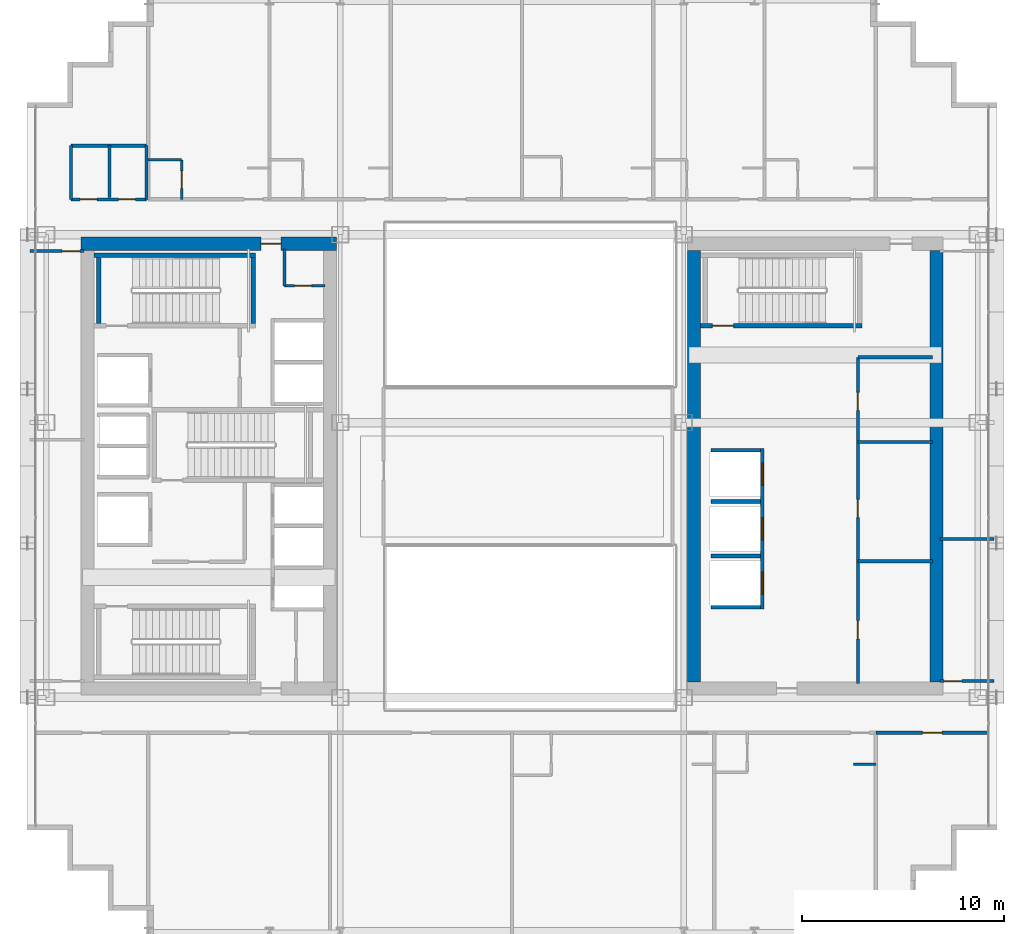
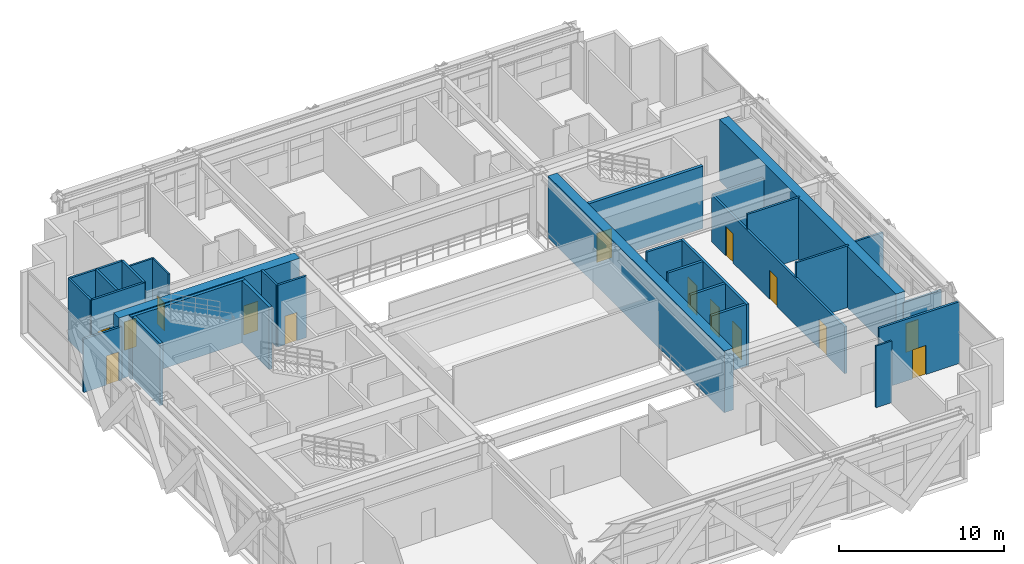
# One storey, part 32 of 38: 30 walls, 15 doors, 15 openings.
"""IFC4 building model written with IfcOpenShell, lengths in metres."""

from ifc_helpers import new_model, si_unit, direction, frame, frame_2d, origin, place, context, subcontext, project, spatial, rectangle, extrude, source, transform, mapped, material, layer, layer_set, type_object, element, fill, save


model = new_model("IFC4")

# Units and contexts
model_context = context("Model", 3, precision=1e-05, world=origin(), true_north=direction((0.0, 1.0)))
body_context = subcontext(model_context, "Body", "Model", "MODEL_VIEW")
ifc_project = project(units=[si_unit("LENGTHUNIT", "METRE"), si_unit("AREAUNIT", "SQUARE_METRE"), si_unit("VOLUMEUNIT", "CUBIC_METRE"), si_unit("PLANEANGLEUNIT", "RADIAN"), si_unit("MASSUNIT", "GRAM", prefix="KILO")], contexts=[model_context])

# Site, building, storey
site_placement = place(None, origin())
site = spatial("IfcSite", under=ifc_project, at=site_placement, CompositionType="ELEMENT")
building_placement = place(site_placement, origin())
building = spatial("IfcBuilding", under=site, at=building_placement, Name="Ocotamira Hotel", CompositionType="ELEMENT")
storey_placement = place(building_placement, frame((0.0, 0.0, 92.39990234375)))
storey = spatial("IfcBuildingStorey", under=building, at=storey_placement, Name="L22", CompositionType="ELEMENT", Elevation=92.39990234375)

# Wall, opening, door
ifc_material_1 = material(Name="Concrete C60/75", Category="concrete")
ifc_layer_1 = layer(ifc_material_1, 0.64990234375)
ifc_layer_set_1 = layer_set([ifc_layer_1], Name="Concrete C60/75")
wall_type_1 = type_object("IfcWallType", Name="WL-CORE-650", PredefinedType="SHEAR", material=ifc_layer_set_1)
wall_1_placement = place(storey_placement, frame((10.675048828125, 37.0, 0.0), z_axis=(0.0, 0.0, 1.0), x_axis=(1.0, 0.0, 0.0)))
wall_1 = element("IfcWall", 1, at=wall_1_placement, inside=storey, type_object=wall_type_1, Name="L22 Shear Core Wall WCORE-N", PredefinedType="SHEAR", context=body_context, shape_type="SweptSolid", body=[
    extrude(rectangle(XDim=12.64990234375, YDim=0.64990234375, at=frame_2d((6.324951171875, 0.0))), origin(), (0.0, 0.0, 1.0), 4.56005859375),
])
opening_1_placement = place(wall_1_placement, frame((8.905029296875, 0.0, 0.0)))
opening_1 = element("IfcOpeningElement", 2, at=opening_1_placement, cuts=wall_1, Name="Opening D-FR2", PredefinedType="OPENING", context=body_context, shape_type="SweptSolid", body=[
    extrude(rectangle(XDim=1.0, YDim=2.14990234375, at=frame_2d((0.5, 1.074951171875))), frame((0.0, 0.3349609375, 0.0), z_axis=(0.0, -1.0, 0.0), x_axis=(1.0, 0.0, 0.0)), (0.0, 0.0, 1.0), 0.669921875),
])
ifc_material_2 = material(Name="Fire-rated acoustic timber-veneer door", Category="wood")
door_type_1 = type_object("IfcDoorType", Name="DR-FIRE-1000", OperationType="NOTDEFINED", PredefinedType="DOOR", material=ifc_material_2)
shared_shape_1 = source(origin(), body_context, "Body", "SweptSolid", [
    extrude(rectangle(XDim=1.0, YDim=2.14990234375, at=frame_2d((0.5, 1.074951171875))), frame((0.0, 0.02490234375, 0.0), z_axis=(0.0, -1.0, 0.0), x_axis=(1.0, 0.0, 0.0)), (0.0, 0.0, 1.0), 0.050048828125),
])
door_1_placement = place(opening_1_placement, origin())
door_1 = element("IfcDoor", 3, at=door_1_placement, inside=storey, type_object=door_type_1, Name="L22 Door ID-L22-WLOB-N-D [ID-L22-WLOB-N-D]", OperationType="SINGLE_SWING_RIGHT", OverallHeight=2.14990234375, OverallWidth=1.0, PredefinedType="DOOR", context=body_context, shape_type="MappedRepresentation", body=[
    mapped(shared_shape_1, transform((0.0, 0.0, 0.0), scale=1.0)),
])
fill(opening_1, door_1)

# Walls
for number, where, z_axis, x_axis, name in (
    (4, (41.0, 15.324951171875, 0.0), (0.0, 0.0, 1.0), (0.0, 1.0, 0.0), "L22 Shear Core Wall ECORE-W"),
    (5, (53.0, 15.324951171875, 0.0), (0.0, 0.0, 1.0), (0.0, 1.0, 0.0), "L22 Shear Core Wall ECORE-E"),
):
    element("IfcWall", number, at=place(storey_placement, frame(where, z_axis=z_axis, x_axis=x_axis)), inside=storey, type_object=wall_type_1, Name=name, PredefinedType="SHEAR", context=body_context, shape_type="SweptSolid", body=[
        extrude(rectangle(XDim=21.35009765625, YDim=0.64990234375, at=frame_2d((10.675048828125, 0.0))), origin(), (0.0, 0.0, 1.0), 4.56005859375),
    ])
ifc_material_3 = material(Name="Acoustic double-layer fire gypsum board partition", Category="gypsum")
ifc_layer_2 = layer(ifc_material_3, 0.159912109375)
ifc_layer_set_2 = layer_set([ifc_layer_2], Name="Acoustic double-layer fire gypsum board partition")
wall_type_2 = type_object("IfcWallType", Name="WL-FIRE-160", PredefinedType="PARTITIONING", material=ifc_layer_set_2)
wall_2_placement = place(storey_placement, frame((49.1201171875, 31.3798828125, 0.0), z_axis=(0.0, 0.0, 1.0), x_axis=(1.0, 0.0, 0.0)))
element("IfcWall", 6, at=wall_2_placement, inside=storey, type_object=wall_type_2, Name="L22 Interior Wall PW-L22-EC-FLOW-N", PredefinedType="PARTITIONING", context=body_context, shape_type="SweptSolid", body=[
    extrude(rectangle(XDim=3.679931640625, YDim=0.159912109375, at=frame_2d((1.83984375, 0.0))), origin(), (0.0, 0.0, 1.0), 3.460205078125),
])

# Wall, openings, doors
wall_3_placement = place(storey_placement, frame((49.1201171875, 15.25, 0.0), z_axis=(0.0, 0.0, 1.0), x_axis=(0.0, 1.0, 0.0)))
wall_3 = element("IfcWall", 7, at=wall_3_placement, inside=storey, type_object=wall_type_2, Name="L22 Interior Wall PW-L22-EC-FLOW-W", PredefinedType="PARTITIONING", context=body_context, shape_type="SweptSolid", body=[
    extrude(rectangle(XDim=16.1298828125, YDim=0.159912109375, at=frame_2d((8.06494140625, 0.0))), origin(), (0.0, 0.0, 1.0), 3.460205078125),
])
opening_2_placement = place(wall_3_placement, frame((2.199951171875, 0.0, 0.0)))
opening_2 = element("IfcOpeningElement", 8, at=opening_2_placement, cuts=wall_3, Name="Opening D-IN3", PredefinedType="OPENING", context=body_context, shape_type="SweptSolid", body=[
    extrude(rectangle(XDim=0.89990234375, YDim=2.14990234375, at=frame_2d((0.449951171875, 1.074951171875))), frame((0.0, 0.08984375, 0.0), z_axis=(0.0, -1.0, 0.0), x_axis=(1.0, 0.0, 0.0)), (0.0, 0.0, 1.0), 0.179931640625),
])
opening_3_placement = place(wall_3_placement, frame((8.199951171875, 0.0, 0.0)))
opening_3 = element("IfcOpeningElement", 9, at=opening_3_placement, cuts=wall_3, Name="Opening D-IN3", PredefinedType="OPENING", context=body_context, shape_type="SweptSolid", body=[
    extrude(rectangle(XDim=0.89990234375, YDim=2.14990234375, at=frame_2d((0.449951171875, 1.074951171875))), frame((0.0, 0.08984375, 0.0), z_axis=(0.0, -1.0, 0.0), x_axis=(1.0, 0.0, 0.0)), (0.0, 0.0, 1.0), 0.179931640625),
])
opening_4_placement = place(wall_3_placement, frame((13.5, 0.0, 0.0)))
opening_4 = element("IfcOpeningElement", 10, at=opening_4_placement, cuts=wall_3, Name="Opening D-IN3", PredefinedType="OPENING", context=body_context, shape_type="SweptSolid", body=[
    extrude(rectangle(XDim=0.89990234375, YDim=2.14990234375, at=frame_2d((0.449951171875, 1.074951171875))), frame((0.0, 0.08984375, 0.0), z_axis=(0.0, -1.0, 0.0), x_axis=(1.0, 0.0, 0.0)), (0.0, 0.0, 1.0), 0.179931640625),
])
ifc_material_4 = material(Name="Painted service room door", Category="steel")
door_type_2 = type_object("IfcDoorType", Name="DR-INT-900", OperationType="NOTDEFINED", PredefinedType="DOOR", material=ifc_material_4)
shared_shape_2 = source(origin(), body_context, "Body", "SweptSolid", [
    extrude(rectangle(XDim=0.89990234375, YDim=2.14990234375, at=frame_2d((0.449951171875, 1.074951171875))), frame((0.0, 0.02490234375, 0.0), z_axis=(0.0, -1.0, 0.0), x_axis=(1.0, 0.0, 0.0)), (0.0, 0.0, 1.0), 0.050048828125),
])
door_2_placement = place(opening_2_placement, origin())
door_2 = element("IfcDoor", 11, at=door_2_placement, inside=storey, type_object=door_type_2, Name="L22 Door ID-L22-EC-FLOW-D1 [ID-L22-EC-FLOW-D1]", OperationType="SINGLE_SWING_LEFT", OverallHeight=2.14990234375, OverallWidth=0.89990234375, PredefinedType="DOOR", context=body_context, shape_type="MappedRepresentation", body=[
    mapped(shared_shape_2, transform((0.0, 0.0, 0.0), scale=1.0)),
])
fill(opening_2, door_2)
door_3_placement = place(opening_3_placement, origin())
door_3 = element("IfcDoor", 12, at=door_3_placement, inside=storey, type_object=door_type_2, Name="L22 Door ID-L22-EC-FLOW-D2 [ID-L22-EC-FLOW-D2]", OperationType="SINGLE_SWING_RIGHT", OverallHeight=2.14990234375, OverallWidth=0.89990234375, PredefinedType="DOOR", context=body_context, shape_type="MappedRepresentation", body=[
    mapped(shared_shape_2, transform((0.0, 0.0, 0.0), scale=1.0)),
])
fill(opening_3, door_3)
door_4_placement = place(opening_4_placement, origin())
door_4 = element("IfcDoor", 13, at=door_4_placement, inside=storey, type_object=door_type_2, Name="L22 Door ID-L22-EC-FLOW-D3 [ID-L22-EC-FLOW-D3]", OperationType="SINGLE_SWING_LEFT", OverallHeight=2.14990234375, OverallWidth=0.89990234375, PredefinedType="DOOR", context=body_context, shape_type="MappedRepresentation", body=[
    mapped(shared_shape_2, transform((0.0, 0.0, 0.0), scale=1.0)),
])
fill(opening_4, door_4)

# Wall, opening, door
wall_4_placement = place(storey_placement, frame((50.0, 12.800048828125, 0.0), z_axis=(0.0, 0.0, 1.0), x_axis=(1.0, 0.0, 0.0)))
wall_4 = element("IfcWall", 14, at=wall_4_placement, inside=storey, type_object=wall_type_2, Name="L22 Interior Wall PW-L22-L22-CSE-CW", PredefinedType="PARTITIONING", context=body_context, shape_type="SweptSolid", body=[
    extrude(rectangle(XDim=5.60009765625, YDim=0.159912109375, at=frame_2d((2.800048828125, 0.0))), origin(), (0.0, 0.0, 1.0), 4.56005859375),
])
opening_5_placement = place(wall_4_placement, frame((2.320068359375, 0.0, 0.0)))
opening_5 = element("IfcOpeningElement", 15, at=opening_5_placement, cuts=wall_4, Name="Opening D-SV4", PredefinedType="OPENING", context=body_context, shape_type="SweptSolid", body=[
    extrude(rectangle(XDim=0.9599609375, YDim=2.14990234375, at=frame_2d((0.47998046875, 1.074951171875))), frame((0.0, 0.08984375, 0.0), z_axis=(0.0, -1.0, 0.0), x_axis=(1.0, 0.0, 0.0)), (0.0, 0.0, 1.0), 0.179931640625),
])
ifc_material_5 = material(Name="Fire-rated accessible walnut salon door", Category="wood")
door_type_3 = type_object("IfcDoorType", Name="DR-SERV-960", OperationType="NOTDEFINED", PredefinedType="DOOR", material=ifc_material_5)
shared_shape_3 = source(origin(), body_context, "Body", "SweptSolid", [
    extrude(rectangle(XDim=0.9599609375, YDim=2.14990234375, at=frame_2d((0.47998046875, 1.074951171875))), frame((0.0, 0.02490234375, 0.0), z_axis=(0.0, -1.0, 0.0), x_axis=(1.0, 0.0, 0.0)), (0.0, 0.0, 1.0), 0.050048828125),
])
door_5_placement = place(opening_5_placement, origin())
door_5 = element("IfcDoor", 16, at=door_5_placement, inside=storey, type_object=door_type_3, Name="L22 Door ID-L22-L22-CSE-CD [ID-L22-L22-CSE-CD]", OperationType="SINGLE_SWING_LEFT", OverallHeight=2.14990234375, OverallWidth=0.9599609375, PredefinedType="DOOR", context=body_context, shape_type="MappedRepresentation", body=[
    mapped(shared_shape_3, transform((0.0, 0.0, 0.0), scale=1.0)),
])
fill(opening_5, door_5)

# Wall
ifc_material_6 = material(Name="Moisture-resistant en-suite tile and gypsum partition", Category="gypsum")
ifc_layer_3 = layer(ifc_material_6, 0.1201171875)
ifc_layer_set_3 = layer_set([ifc_layer_3], Name="Moisture-resistant en-suite tile and gypsum partition")
wall_type_3 = type_object("IfcWallType", Name="WL-PART-120", PredefinedType="PARTITIONING", material=ifc_layer_set_3)
wall_5_placement = place(storey_placement, frame((48.89990234375, 11.25, 0.0), z_axis=(0.0, 0.0, 1.0), x_axis=(1.0, 0.0, 0.0)))
element("IfcWall", 17, at=wall_5_placement, inside=storey, type_object=wall_type_3, Name="L22 Interior Wall PW-L22-L22S-DRN4", PredefinedType="PARTITIONING", context=body_context, shape_type="SweptSolid", body=[
    extrude(rectangle(XDim=1.10009765625, YDim=0.1201171875, at=frame_2d((0.550048828125, 0.0))), origin(), (0.0, 0.0, 1.0), 4.56005859375),
])

# Wall, opening, door
wall_6_placement = place(storey_placement, frame((15.64990234375, 39.199951171875, 0.0), z_axis=(0.0, 0.0, 1.0), x_axis=(0.0, 1.0, 0.0)))
wall_6 = element("IfcWall", 18, at=wall_6_placement, inside=storey, type_object=wall_type_3, Name="L22 Interior Wall PW-L22-L22N-BAE1", PredefinedType="PARTITIONING", context=body_context, shape_type="SweptSolid", body=[
    extrude(rectangle(XDim=1.949951171875, YDim=0.1201171875, at=frame_2d((0.97509765625, 0.0))), origin(), (0.0, 0.0, 1.0), 4.56005859375),
])
opening_6_placement = place(wall_6_placement, frame((0.544921875, 0.0, 0.0)))
opening_6 = element("IfcOpeningElement", 19, at=opening_6_placement, cuts=wall_6, Name="Opening D-BA1", PredefinedType="OPENING", context=body_context, shape_type="SweptSolid", body=[
    extrude(rectangle(XDim=0.860107421875, YDim=2.10009765625, at=frame_2d((0.43017578125, 1.050048828125))), frame((0.0, 0.070068359375, 0.0), z_axis=(0.0, -1.0, 0.0), x_axis=(1.0, 0.0, 0.0)), (0.0, 0.0, 1.0), 0.14013671875),
])
ifc_material_7 = material(Name="Moisture-sealed en-suite timber door", Category="wood")
door_type_4 = type_object("IfcDoorType", Name="DR-BATH-860", OperationType="NOTDEFINED", PredefinedType="DOOR", material=ifc_material_7)
shared_shape_4 = source(origin(), body_context, "Body", "SweptSolid", [
    extrude(rectangle(XDim=0.860107421875, YDim=2.10009765625, at=frame_2d((0.43017578125, 1.050048828125))), frame((0.0, 0.02490234375, 0.0), z_axis=(0.0, -1.0, 0.0), x_axis=(1.0, 0.0, 0.0)), (0.0, 0.0, 1.0), 0.050048828125),
])
door_6_placement = place(opening_6_placement, origin())
door_6 = element("IfcDoor", 20, at=door_6_placement, inside=storey, type_object=door_type_4, Name="L22 Door ID-L22-L22N-BAD1 [ID-L22-L22N-BAD1]", OperationType="SINGLE_SWING_RIGHT", OverallHeight=2.10009765625, OverallWidth=0.860107421875, PredefinedType="DOOR", context=body_context, shape_type="MappedRepresentation", body=[
    mapped(shared_shape_4, transform((0.0, 0.0, 0.0), scale=1.0)),
])
fill(opening_6, door_6)

# Walls
wall_7_placement = place(storey_placement, frame((14.0, 41.14990234375, 0.0), z_axis=(0.0, 0.0, 1.0), x_axis=(1.0, 0.0, 0.0)))
element("IfcWall", 21, at=wall_7_placement, inside=storey, type_object=wall_type_3, Name="L22 Interior Wall PW-L22-L22N-BAN1", PredefinedType="PARTITIONING", context=body_context, shape_type="SweptSolid", body=[
    extrude(rectangle(XDim=1.64990234375, YDim=0.1201171875, at=frame_2d((0.824951171875, 0.0))), origin(), (0.0, 0.0, 1.0), 4.56005859375),
])
ifc_material_8 = material(Name="Acoustic hospitality gypsum board partition", Category="gypsum")
ifc_layer_4 = layer(ifc_material_8, 0.14208984375)
ifc_layer_set_4 = layer_set([ifc_layer_4], Name="Acoustic hospitality gypsum board partition")
wall_type_4 = type_object("IfcWallType", Name="WL-PART-142", PredefinedType="PARTITIONING", material=ifc_layer_set_4)
wall_8_placement = place(storey_placement, frame((20.739990234375, 34.919921875, 0.0), z_axis=(0.0, 0.0, 1.0), x_axis=(0.0, 1.0, 0.0)))
element("IfcWall", 22, at=wall_8_placement, inside=storey, type_object=wall_type_4, Name="L22 Interior Wall PW-L22-WC-NE-W1", PredefinedType="PARTITIONING", context=body_context, shape_type="SweptSolid", body=[
    extrude(rectangle(XDim=1.830078125, YDim=0.14208984375, at=frame_2d((0.9150390625, 0.0))), origin(), (0.0, 0.0, 1.0), 4.56005859375),
])

# Wall, opening, door
wall_9_placement = place(storey_placement, frame((20.739990234375, 34.919921875, 0.0), z_axis=(0.0, 0.0, 1.0), x_axis=(1.0, 0.0, 0.0)))
wall_9 = element("IfcWall", 23, at=wall_9_placement, inside=storey, type_object=wall_type_4, Name="L22 Interior Wall PW-L22-WC-NE-S1", PredefinedType="PARTITIONING", context=body_context, shape_type="SweptSolid", body=[
    extrude(rectangle(XDim=2.010009765625, YDim=0.14208984375, at=frame_2d((1.0048828125, 0.0))), origin(), (0.0, 0.0, 1.0), 4.56005859375),
])
opening_7_placement = place(wall_9_placement, frame((0.5, 0.0, 0.0)))
opening_7 = element("IfcOpeningElement", 24, at=opening_7_placement, cuts=wall_9, Name="Opening D-SV1", PredefinedType="OPENING", context=body_context, shape_type="SweptSolid", body=[
    extrude(rectangle(XDim=0.840087890625, YDim=2.10009765625, at=frame_2d((0.419921875, 1.050048828125))), frame((0.0, 0.0810546875, 0.0), z_axis=(0.0, -1.0, 0.0), x_axis=(1.0, 0.0, 0.0)), (0.0, 0.0, 1.0), 0.162109375),
])
ifc_material_9 = material(Name="Fire-rated painted steel service door", Category="steel")
door_type_5 = type_object("IfcDoorType", Name="DR-SERV-840", OperationType="NOTDEFINED", PredefinedType="DOOR", material=ifc_material_9)
shared_shape_5 = source(origin(), body_context, "Body", "SweptSolid", [
    extrude(rectangle(XDim=0.840087890625, YDim=2.10009765625, at=frame_2d((0.419921875, 1.050048828125))), frame((0.0, 0.02490234375, 0.0), z_axis=(0.0, -1.0, 0.0), x_axis=(1.0, 0.0, 0.0)), (0.0, 0.0, 1.0), 0.050048828125),
])
door_7_placement = place(opening_7_placement, origin())
door_7 = element("IfcDoor", 25, at=door_7_placement, inside=storey, type_object=door_type_5, Name="L22 Door ID-L22-WC-NE-D1 [ID-L22-WC-NE-D1]", OperationType="SINGLE_SWING_LEFT", OverallHeight=2.10009765625, OverallWidth=0.840087890625, PredefinedType="DOOR", context=body_context, shape_type="MappedRepresentation", body=[
    mapped(shared_shape_5, transform((0.0, 0.0, 0.0), scale=1.0)),
])
fill(opening_7, door_7)

# Walls
wall_10_placement = place(storey_placement, frame((53.179931640625, 22.39990234375, 0.0), z_axis=(0.0, 0.0, 1.0), x_axis=(1.0, 0.0, 0.0)))
element("IfcWall", 26, at=wall_10_placement, inside=storey, type_object=wall_type_4, Name="L22 Interior Wall PW-L22-L22E-DV1", PredefinedType="PARTITIONING", context=body_context, shape_type="SweptSolid", body=[
    extrude(rectangle(XDim=2.66015625, YDim=0.14208984375, at=frame_2d((1.330078125, 0.0))), origin(), (0.0, 0.0, 1.0), 3.781005859375),
])
ifc_layer_5 = layer(ifc_material_8, 0.14990234375)
ifc_layer_set_5 = layer_set([ifc_layer_5], Name="Acoustic hospitality gypsum board partition")
wall_type_5 = type_object("IfcWallType", Name="WL-PART-150", PredefinedType="PARTITIONING", material=ifc_layer_set_5)
for number, where, z_axis, x_axis, name in (
    (27, (49.1201171875, 21.2900390625, 0.0), (0.0, 0.0, 1.0), (1.0, 0.0, 0.0), "L22 Interior Wall PW-L22-EC-FDIV1"),
    (28, (49.1201171875, 27.18994140625, 0.0), (0.0, 0.0, 1.0), (1.0, 0.0, 0.0), "L22 Interior Wall PW-L22-EC-FDIV2"),
):
    element("IfcWall", number, at=place(storey_placement, frame(where, z_axis=z_axis, x_axis=x_axis)), inside=storey, type_object=wall_type_5, Name=name, PredefinedType="PARTITIONING", context=body_context, shape_type="SweptSolid", body=[
        extrude(rectangle(XDim=3.679931640625, YDim=0.14990234375, at=frame_2d((1.83984375, 0.0))), origin(), (0.0, 0.0, 1.0), 4.56005859375),
    ])

# Wall, opening, door
wall_11_placement = place(storey_placement, frame((8.159912109375, 36.639892578125, 0.0), z_axis=(0.0, 0.0, 1.0), x_axis=(1.0, 0.0, 0.0)))
wall_11 = element("IfcWall", 29, at=wall_11_placement, inside=storey, type_object=wall_type_5, Name="L22 Interior Wall PW-L22-L22W-WN", PredefinedType="PARTITIONING", context=body_context, shape_type="SweptSolid", body=[
    extrude(rectangle(XDim=2.66015625, YDim=0.14990234375, at=frame_2d((1.330078125, 0.0))), origin(), (0.0, 0.0, 1.0), 3.943115234375),
])
opening_8_placement = place(wall_11_placement, frame((1.580078125, 0.0, 0.0)))
opening_8 = element("IfcOpeningElement", 30, at=opening_8_placement, cuts=wall_11, Name="Opening D-SV2", PredefinedType="OPENING", context=body_context, shape_type="SweptSolid", body=[
    extrude(rectangle(XDim=0.8798828125, YDim=2.14990234375, at=frame_2d((0.43994140625, 1.074951171875))), frame((0.0, 0.0849609375, 0.0), z_axis=(0.0, -1.0, 0.0), x_axis=(1.0, 0.0, 0.0)), (0.0, 0.0, 1.0), 0.169921875),
])
door_type_6 = type_object("IfcDoorType", Name="DR-SERV-880", OperationType="NOTDEFINED", PredefinedType="DOOR", material=ifc_material_9)
shared_shape_6 = source(origin(), body_context, "Body", "SweptSolid", [
    extrude(rectangle(XDim=0.8798828125, YDim=2.14990234375, at=frame_2d((0.43994140625, 1.074951171875))), frame((0.0, 0.02490234375, 0.0), z_axis=(0.0, -1.0, 0.0), x_axis=(1.0, 0.0, 0.0)), (0.0, 0.0, 1.0), 0.050048828125),
])
door_8_placement = place(opening_8_placement, origin())
door_8 = element("IfcDoor", 31, at=door_8_placement, inside=storey, type_object=door_type_6, Name="L22 Door ID-L22-L22W-DN [ID-L22-L22W-DN]", OperationType="SINGLE_SWING_RIGHT", OverallHeight=2.14990234375, OverallWidth=0.8798828125, PredefinedType="DOOR", context=body_context, shape_type="MappedRepresentation", body=[
    mapped(shared_shape_6, transform((0.0, 0.0, 0.0), scale=1.0)),
])
fill(opening_8, door_8)

wall_12_placement = place(storey_placement, frame((53.179931640625, 15.360107421875, 0.0), z_axis=(0.0, 0.0, 1.0), x_axis=(1.0, 0.0, 0.0)))
wall_12 = element("IfcWall", 32, at=wall_12_placement, inside=storey, type_object=wall_type_5, Name="L22 Interior Wall PW-L22-L22E-WS", PredefinedType="PARTITIONING", context=body_context, shape_type="SweptSolid", body=[
    extrude(rectangle(XDim=2.66015625, YDim=0.14990234375, at=frame_2d((1.330078125, 0.0))), origin(), (0.0, 0.0, 1.0), 3.781005859375),
])
opening_9_placement = place(wall_12_placement, frame((0.199951171875, 0.0, 0.0)))
opening_9 = element("IfcOpeningElement", 33, at=opening_9_placement, cuts=wall_12, Name="Opening D-SV2", PredefinedType="OPENING", context=body_context, shape_type="SweptSolid", body=[
    extrude(rectangle(XDim=0.8798828125, YDim=2.14990234375, at=frame_2d((0.43994140625, 1.074951171875))), frame((0.0, 0.0849609375, 0.0), z_axis=(0.0, -1.0, 0.0), x_axis=(1.0, 0.0, 0.0)), (0.0, 0.0, 1.0), 0.169921875),
])
door_9_placement = place(opening_9_placement, origin())
door_9 = element("IfcDoor", 34, at=door_9_placement, inside=storey, type_object=door_type_6, Name="L22 Door ID-L22-L22E-DS [ID-L22-L22E-DS]", OperationType="SINGLE_SWING_RIGHT", OverallHeight=2.14990234375, OverallWidth=0.8798828125, PredefinedType="DOOR", context=body_context, shape_type="MappedRepresentation", body=[
    mapped(shared_shape_6, transform((0.0, 0.0, 0.0), scale=1.0)),
])
fill(opening_9, door_9)

# Walls
wall_13_placement = place(storey_placement, frame((12.080078125, 39.300048828125, 0.0), z_axis=(0.0, 0.0, 1.0), x_axis=(0.0, 1.0, 0.0)))
element("IfcWall", 35, at=wall_13_placement, inside=storey, type_object=wall_type_5, Name="L22 Interior Wall PW-L22-SKY-WCDIV", PredefinedType="PARTITIONING", context=body_context, shape_type="SweptSolid", body=[
    extrude(rectangle(XDim=2.550048828125, YDim=0.14990234375, at=frame_2d((1.27490234375, 0.0))), origin(), (0.0, 0.0, 1.0), 4.56005859375),
])
for number, where, z_axis, x_axis, name in (
    (36, (10.179931640625, 39.199951171875, 0.0), (0.0, 0.0, 1.0), (0.0, 1.0, 0.0), "L22 Interior Wall PW-L22-SKY-WCW"),
    (37, (13.919921875, 39.199951171875, 0.0), (0.0, 0.0, 1.0), (0.0, 1.0, 0.0), "L22 Interior Wall PW-L22-SKY-WCE"),
):
    element("IfcWall", number, at=place(storey_placement, frame(where, z_axis=z_axis, x_axis=x_axis)), inside=storey, type_object=wall_type_5, Name=name, PredefinedType="PARTITIONING", context=body_context, shape_type="SweptSolid", body=[
        extrude(rectangle(XDim=2.650146484375, YDim=0.14990234375, at=frame_2d((1.3251953125, 0.0))), origin(), (0.0, 0.0, 1.0), 4.56005859375),
    ])
wall_14_placement = place(storey_placement, frame((10.179931640625, 41.85009765625, 0.0), z_axis=(0.0, 0.0, 1.0), x_axis=(1.0, 0.0, 0.0)))
element("IfcWall", 38, at=wall_14_placement, inside=storey, type_object=wall_type_5, Name="L22 Interior Wall PW-L22-SKY-WCN", PredefinedType="PARTITIONING", context=body_context, shape_type="SweptSolid", body=[
    extrude(rectangle(XDim=3.739990234375, YDim=0.14990234375, at=frame_2d((1.8701171875, 0.0))), origin(), (0.0, 0.0, 1.0), 4.56005859375),
])

# Wall, openings, doors
wall_15_placement = place(storey_placement, frame((10.179931640625, 39.199951171875, 0.0), z_axis=(0.0, 0.0, 1.0), x_axis=(1.0, 0.0, 0.0)))
wall_15 = element("IfcWall", 39, at=wall_15_placement, inside=storey, type_object=wall_type_5, Name="L22 Interior Wall PW-L22-SKY-WCS", PredefinedType="PARTITIONING", context=body_context, shape_type="SweptSolid", body=[
    extrude(rectangle(XDim=3.739990234375, YDim=0.14990234375, at=frame_2d((1.8701171875, 0.0))), origin(), (0.0, 0.0, 1.0), 4.56005859375),
])
opening_10_placement = place(wall_15_placement, frame((0.449951171875, 0.0, 0.0)))
opening_10 = element("IfcOpeningElement", 40, at=opening_10_placement, cuts=wall_15, Name="Opening D-SV1", PredefinedType="OPENING", context=body_context, shape_type="SweptSolid", body=[
    extrude(rectangle(XDim=0.840087890625, YDim=2.10009765625, at=frame_2d((0.419921875, 1.050048828125))), frame((0.0, 0.0849609375, 0.0), z_axis=(0.0, -1.0, 0.0), x_axis=(1.0, 0.0, 0.0)), (0.0, 0.0, 1.0), 0.169921875),
])
opening_11_placement = place(wall_15_placement, frame((2.35009765625, 0.0, 0.0)))
opening_11 = element("IfcOpeningElement", 41, at=opening_11_placement, cuts=wall_15, Name="Opening D-SV1", PredefinedType="OPENING", context=body_context, shape_type="SweptSolid", body=[
    extrude(rectangle(XDim=0.840087890625, YDim=2.10009765625, at=frame_2d((0.419921875, 1.050048828125))), frame((0.0, 0.0849609375, 0.0), z_axis=(0.0, -1.0, 0.0), x_axis=(1.0, 0.0, 0.0)), (0.0, 0.0, 1.0), 0.169921875),
])
door_10_placement = place(opening_10_placement, origin())
door_10 = element("IfcDoor", 42, at=door_10_placement, inside=storey, type_object=door_type_5, Name="L22 Door ID-L22-SKY-WCD1 [ID-L22-SKY-WCD1]", OperationType="SINGLE_SWING_LEFT", OverallHeight=2.10009765625, OverallWidth=0.840087890625, PredefinedType="DOOR", context=body_context, shape_type="MappedRepresentation", body=[
    mapped(shared_shape_5, transform((0.0, 0.0, 0.0), scale=1.0)),
])
fill(opening_10, door_10)
door_11_placement = place(opening_11_placement, origin())
door_11 = element("IfcDoor", 43, at=door_11_placement, inside=storey, type_object=door_type_5, Name="L22 Door ID-L22-SKY-AWCD [ID-L22-SKY-AWCD]", OperationType="SINGLE_SWING_RIGHT", OverallHeight=2.10009765625, OverallWidth=0.840087890625, PredefinedType="DOOR", context=body_context, shape_type="MappedRepresentation", body=[
    mapped(shared_shape_5, transform((0.0, 0.0, 0.0), scale=1.0)),
])
fill(opening_11, door_11)

ifc_material_10 = material(Name="Fire-rated gypsum shaftliner board assembly", Category="gypsum")
ifc_layer_6 = layer(ifc_material_10, 0.179931640625)
ifc_layer_set_6 = layer_set([ifc_layer_6], Name="Fire-rated gypsum shaftliner board assembly")
wall_type_6 = type_object("IfcWallType", Name="WL-SHAFT-180", PredefinedType="SOLIDWALL", material=ifc_layer_set_6)
wall_16_placement = place(storey_placement, frame((44.389892578125, 18.919921875, 0.0), z_axis=(0.0, 0.0, 1.0), x_axis=(0.0, 1.0, 0.0)))
wall_16 = element("IfcWall", 44, at=wall_16_placement, inside=storey, type_object=wall_type_6, Name="L22 Interior Wall PW-L22-LFW-BANK-mid-F", PredefinedType="SOLIDWALL", context=body_context, shape_type="SweptSolid", body=[
    extrude(rectangle(XDim=7.9599609375, YDim=0.179931640625, at=frame_2d((3.97998046875, 0.0))), origin(), (0.0, 0.0, 1.0), 4.56005859375),
])
opening_12_placement = place(wall_16_placement, frame((0.72998046875, 0.0, 0.0)))
opening_12 = element("IfcOpeningElement", 45, at=opening_12_placement, cuts=wall_16, Name="Opening LD-LF-P4", PredefinedType="OPENING", context=body_context, shape_type="SweptSolid", body=[
    extrude(rectangle(XDim=1.10009765625, YDim=2.199951171875, at=frame_2d((0.550048828125, 1.10009765625))), frame((0.0, 0.10009765625, 0.0), z_axis=(0.0, -1.0, 0.0), x_axis=(1.0, 0.0, 0.0)), (0.0, 0.0, 1.0), 0.199951171875),
])
opening_13_placement = place(wall_16_placement, frame((3.429931640625, 0.0, 0.0)))
opening_13 = element("IfcOpeningElement", 46, at=opening_13_placement, cuts=wall_16, Name="Opening LD-LF-P5", PredefinedType="OPENING", context=body_context, shape_type="SweptSolid", body=[
    extrude(rectangle(XDim=1.10009765625, YDim=2.199951171875, at=frame_2d((0.550048828125, 1.10009765625))), frame((0.0, 0.10009765625, 0.0), z_axis=(0.0, -1.0, 0.0), x_axis=(1.0, 0.0, 0.0)), (0.0, 0.0, 1.0), 0.199951171875),
])
opening_14_placement = place(wall_16_placement, frame((6.1298828125, 0.0, 0.0)))
opening_14 = element("IfcOpeningElement", 47, at=opening_14_placement, cuts=wall_16, Name="Opening LD-LF-P6", PredefinedType="OPENING", context=body_context, shape_type="SweptSolid", body=[
    extrude(rectangle(XDim=1.10009765625, YDim=2.199951171875, at=frame_2d((0.550048828125, 1.10009765625))), frame((0.0, 0.10009765625, 0.0), z_axis=(0.0, -1.0, 0.0), x_axis=(1.0, 0.0, 0.0)), (0.0, 0.0, 1.0), 0.199951171875),
])
ifc_material_11 = material(Name="Brushed pale-metal stainless elevator landing door", Category="steel")
door_type_7 = type_object("IfcDoorType", Name="DR-LIFT-1100", OperationType="NOTDEFINED", PredefinedType="DOOR", material=ifc_material_11)
shared_shape_7 = source(origin(), body_context, "Body", "SweptSolid", [
    extrude(rectangle(XDim=1.10009765625, YDim=2.199951171875, at=frame_2d((0.550048828125, 1.10009765625))), frame((0.0, 0.02490234375, 0.0), z_axis=(0.0, -1.0, 0.0), x_axis=(1.0, 0.0, 0.0)), (0.0, 0.0, 1.0), 0.050048828125),
])
door_12_placement = place(opening_12_placement, origin())
door_12 = element("IfcDoor", 48, at=door_12_placement, inside=storey, type_object=door_type_7, Name="L22 Landing Door LD-LF-P4 [ID-L22-LD-LF-P4]", OperationType="DOUBLE_DOOR_SLIDING", OverallHeight=2.199951171875, OverallWidth=1.10009765625, PredefinedType="DOOR", context=body_context, shape_type="MappedRepresentation", body=[
    mapped(shared_shape_7, transform((0.0, 0.0, 0.0), scale=1.0)),
])
fill(opening_12, door_12)
door_13_placement = place(opening_13_placement, origin())
door_13 = element("IfcDoor", 49, at=door_13_placement, inside=storey, type_object=door_type_7, Name="L22 Landing Door LD-LF-P5 [ID-L22-LD-LF-P5]", OperationType="DOUBLE_DOOR_SLIDING", OverallHeight=2.199951171875, OverallWidth=1.10009765625, PredefinedType="DOOR", context=body_context, shape_type="MappedRepresentation", body=[
    mapped(shared_shape_7, transform((0.0, 0.0, 0.0), scale=1.0)),
])
fill(opening_13, door_13)
door_14_placement = place(opening_14_placement, origin())
door_14 = element("IfcDoor", 50, at=door_14_placement, inside=storey, type_object=door_type_7, Name="L22 Landing Door LD-LF-P6 [ID-L22-LD-LF-P6]", OperationType="DOUBLE_DOOR_SLIDING", OverallHeight=2.199951171875, OverallWidth=1.10009765625, PredefinedType="DOOR", context=body_context, shape_type="MappedRepresentation", body=[
    mapped(shared_shape_7, transform((0.0, 0.0, 0.0), scale=1.0)),
])
fill(opening_14, door_14)

# Walls
for number, where, z_axis, x_axis, name in (
    (51, (41.85009765625, 19.010009765625, 0.0), (0.0, 0.0, 1.0), (1.0, 0.0, 0.0), "L22 Interior Wall PW-L22-LFW-BANK-mid-S"),
    (52, (41.85009765625, 26.7900390625, 0.0), (0.0, 0.0, 1.0), (1.0, 0.0, 0.0), "L22 Interior Wall PW-L22-LFW-BANK-mid-N"),
    (53, (41.85009765625, 21.550048828125, 0.0), (0.0, 0.0, 1.0), (1.0, 0.0, 0.0), "L22 Interior Wall PW-L22-LFW-DIV-LF-P4"),
    (54, (41.85009765625, 24.25, 0.0), (0.0, 0.0, 1.0), (1.0, 0.0, 0.0), "L22 Interior Wall PW-L22-LFW-DIV-LF-P5"),
):
    element("IfcWall", number, at=place(storey_placement, frame(where, z_axis=z_axis, x_axis=x_axis)), inside=storey, type_object=wall_type_6, Name=name, PredefinedType="SOLIDWALL", context=body_context, shape_type="SweptSolid", body=[
        extrude(rectangle(XDim=2.449951171875, YDim=0.179931640625, at=frame_2d((1.22509765625, 0.0))), origin(), (0.0, 0.0, 1.0), 4.56005859375),
    ])
ifc_material_12 = material(Name="Concrete C50/60", Category="concrete")
ifc_layer_7 = layer(ifc_material_12, 0.219970703125)
ifc_layer_set_7 = layer_set([ifc_layer_7], Name="Concrete C50/60")
wall_type_7 = type_object("IfcWallType", Name="WL-STAIR-220", PredefinedType="SHEAR", material=ifc_layer_set_7)
wall_17_placement = place(storey_placement, frame((11.324951171875, 36.43994140625, 0.0), z_axis=(0.0, 0.0, 1.0), x_axis=(1.0, 0.0, 0.0)))
element("IfcWall", 55, at=wall_17_placement, inside=storey, type_object=wall_type_7, Name="L22 Stair Shaft Structural Wall ST-2-N", PredefinedType="SHEAR", context=body_context, shape_type="SweptSolid", body=[
    extrude(rectangle(XDim=7.985107421875, YDim=0.219970703125, at=frame_2d((3.99267578125, 0.0))), origin(), (0.0, 0.0, 1.0), 4.60009765625),
])
for number, where, z_axis, x_axis, name in (
    (56, (11.56005859375, 33.050048828125, 0.0), (0.0, 0.0, 1.0), (0.0, 1.0, 0.0), "L22 Stair Shaft Structural Wall ST-2-W"),
    (57, (19.199951171875, 33.050048828125, 0.0), (0.0, 0.0, 1.0), (0.0, 1.0, 0.0), "L22 Stair Shaft Structural Wall ST-2-E"),
):
    element("IfcWall", number, at=place(storey_placement, frame(where, z_axis=z_axis, x_axis=x_axis)), inside=storey, type_object=wall_type_7, Name=name, PredefinedType="SHEAR", context=body_context, shape_type="SweptSolid", body=[
        extrude(rectangle(XDim=3.280029296875, YDim=0.219970703125, at=frame_2d((1.64013671875, 0.0))), origin(), (0.0, 0.0, 1.0), 4.60009765625),
    ])

# Wall, opening, door
wall_18_placement = place(storey_placement, frame((41.324951171875, 32.93994140625, 0.0), z_axis=(0.0, 0.0, 1.0), x_axis=(1.0, 0.0, 0.0)))
wall_18 = element("IfcWall", 58, at=wall_18_placement, inside=storey, type_object=wall_type_7, Name="L22 Stair Shaft Structural Wall ST-4-S", PredefinedType="SHEAR", context=body_context, shape_type="SweptSolid", body=[
    extrude(rectangle(XDim=7.985107421875, YDim=0.219970703125, at=frame_2d((3.99267578125, 0.0))), origin(), (0.0, 0.0, 1.0), 4.60009765625),
])
opening_15_placement = place(wall_18_placement, frame((0.594970703125, 0.0, 0.0)))
opening_15 = element("IfcOpeningElement", 59, at=opening_15_placement, cuts=wall_18, Name="Opening D-ST2", PredefinedType="OPENING", context=body_context, shape_type="SweptSolid", body=[
    extrude(rectangle(XDim=1.050048828125, YDim=2.14990234375, at=frame_2d((0.52490234375, 1.074951171875))), frame((0.0, 0.1201171875, 0.0), z_axis=(0.0, -1.0, 0.0), x_axis=(1.0, 0.0, 0.0)), (0.0, 0.0, 1.0), 0.239990234375),
])
ifc_material_13 = material(Name="Insulated painted hollow-metal fire exit door", Category="steel")
door_type_8 = type_object("IfcDoorType", Name="DR-STAIR-1050", OperationType="NOTDEFINED", PredefinedType="DOOR", material=ifc_material_13)
shared_shape_8 = source(origin(), body_context, "Body", "SweptSolid", [
    extrude(rectangle(XDim=1.050048828125, YDim=2.14990234375, at=frame_2d((0.52490234375, 1.074951171875))), frame((0.0, 0.02490234375, 0.0), z_axis=(0.0, -1.0, 0.0), x_axis=(1.0, 0.0, 0.0)), (0.0, 0.0, 1.0), 0.050048828125),
])
door_15_placement = place(opening_15_placement, origin())
door_15 = element("IfcDoor", 60, at=door_15_placement, inside=storey, type_object=door_type_8, Name="L22 Door ID-L22-STD-ST-4 [ID-L22-STD-ST-4]", OperationType="SINGLE_SWING_RIGHT", OverallHeight=2.14990234375, OverallWidth=1.050048828125, PredefinedType="DOOR", context=body_context, shape_type="MappedRepresentation", body=[
    mapped(shared_shape_8, transform((0.0, 0.0, 0.0), scale=1.0)),
])
fill(opening_15, door_15)

save(model, "model.ifc")
